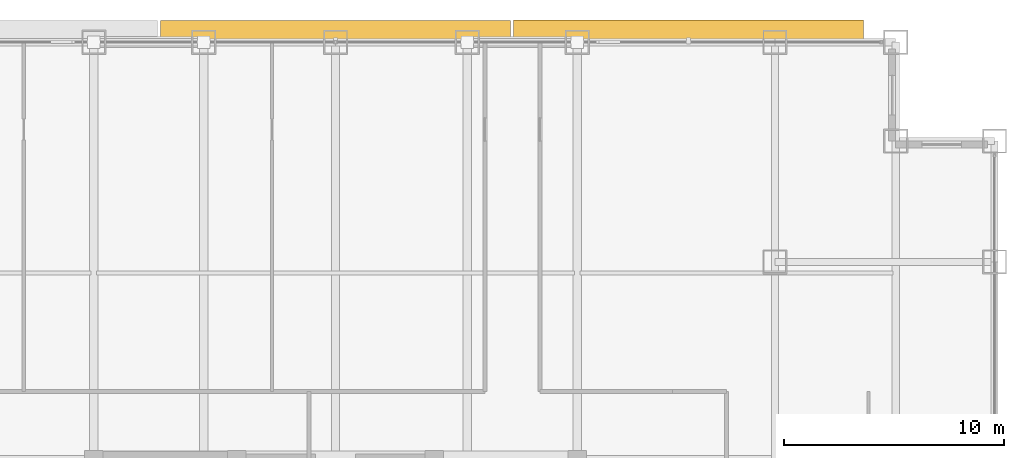
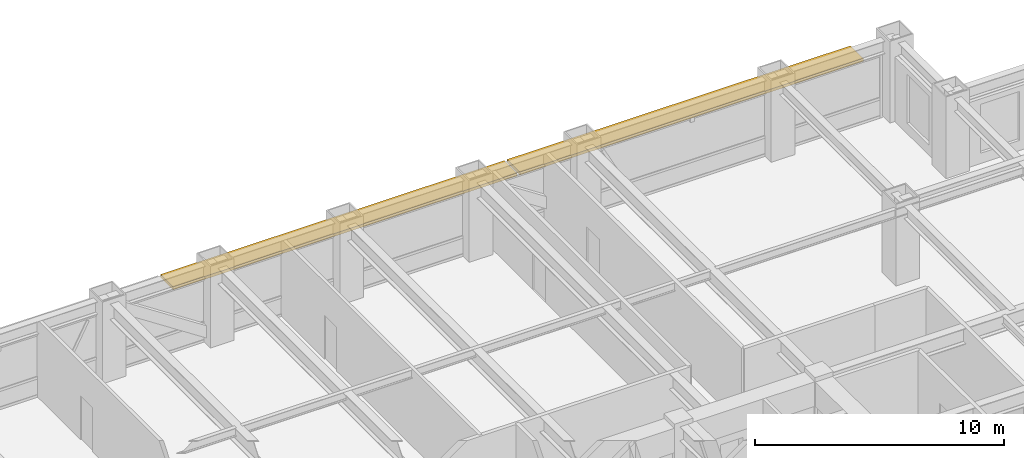
# One storey, part 28 of 28: 2 shading devices.
"""IFC4 building model written with IfcOpenShell, lengths in metres."""

from ifc_helpers import new_model, si_unit, direction, frame, origin, origin_2d, place, context, subcontext, project, spatial, rectangle, extrude, source, transform, mapped, material, layer, layer_set, type_object, element, save


model = new_model("IFC4")

# Units and contexts
model_context = context("Model", 3, precision=1e-05, world=origin(), true_north=direction((0.0, 1.0)))
body_context = subcontext(model_context, "Body", "Model", "MODEL_VIEW")
ifc_project = project(units=[si_unit("LENGTHUNIT", "METRE"), si_unit("AREAUNIT", "SQUARE_METRE"), si_unit("VOLUMEUNIT", "CUBIC_METRE"), si_unit("PLANEANGLEUNIT", "RADIAN"), si_unit("MASSUNIT", "GRAM", prefix="KILO")], contexts=[model_context])

# Site, building, storey
site_placement = place(None, origin())
site = spatial("IfcSite", under=ifc_project, at=site_placement, CompositionType="ELEMENT")
building_placement = place(site_placement, origin())
building = spatial("IfcBuilding", under=site, at=building_placement, Name="Khorayat Bourse Tower", CompositionType="ELEMENT")
storey_placement = place(building_placement, frame((0.0, 0.0, 191.10009765625)))
storey = spatial("IfcBuildingStorey", under=building, at=storey_placement, Name="L44", CompositionType="ELEMENT", Elevation=191.10009765625)

# Shading devices
ifc_material = material(Name="Precast concrete C45/55", Category="concrete")
ifc_layer = layer(ifc_material, 0.139892578125)
ifc_layer_set = layer_set([ifc_layer], Name="Precast concrete C45/55")
shading_device_type = type_object("IfcShadingDeviceType", Name="SHD-WAVE-TRAY-A", PredefinedType="USERDEFINED", material=ifc_layer_set)
shared_shape_1 = source(origin(), body_context, "Body", "SweptSolid", [
    extrude(rectangle(XDim=15.9267578125, YDim=1.017578125, at=origin_2d()), origin(), (0.0, 0.0, 1.0), 0.139892578125),
])
shading_device_1_placement = place(storey_placement, frame((0.0, 30.48876953125, 3.02978515625), z_axis=(0.0, 0.0, 1.0), x_axis=(1.0, 0.0, 0.0)))
element("IfcShadingDevice", 1, at=shading_device_1_placement, inside=storey, type_object=shading_device_type, Name="L44 Sinusoidal Wave Sunshade Tray N-2", ObjectType="SUNSHADE", PredefinedType="USERDEFINED", context=body_context, shape_type="MappedRepresentation", body=[
    mapped(shared_shape_1, transform((0.0, 0.0, 0.0), scale=1.0)),
])
shared_shape_2 = source(origin(), body_context, "Body", "SweptSolid", [
    extrude(rectangle(XDim=15.9267578125, YDim=1.02978515625, at=origin_2d()), origin(), (0.0, 0.0, 1.0), 0.139892578125),
])
shading_device_2_placement = place(storey_placement, frame((16.066650390625, 30.494873046875, 3.02978515625), z_axis=(0.0, 0.0, 1.0), x_axis=(1.0, 0.0, 0.0)))
element("IfcShadingDevice", 2, at=shading_device_2_placement, inside=storey, type_object=shading_device_type, Name="L44 Sinusoidal Wave Sunshade Tray N-3", ObjectType="SUNSHADE", PredefinedType="USERDEFINED", context=body_context, shape_type="MappedRepresentation", body=[
    mapped(shared_shape_2, transform((0.0, 0.0, 0.0), scale=1.0)),
])

save(model, "model.ifc")
